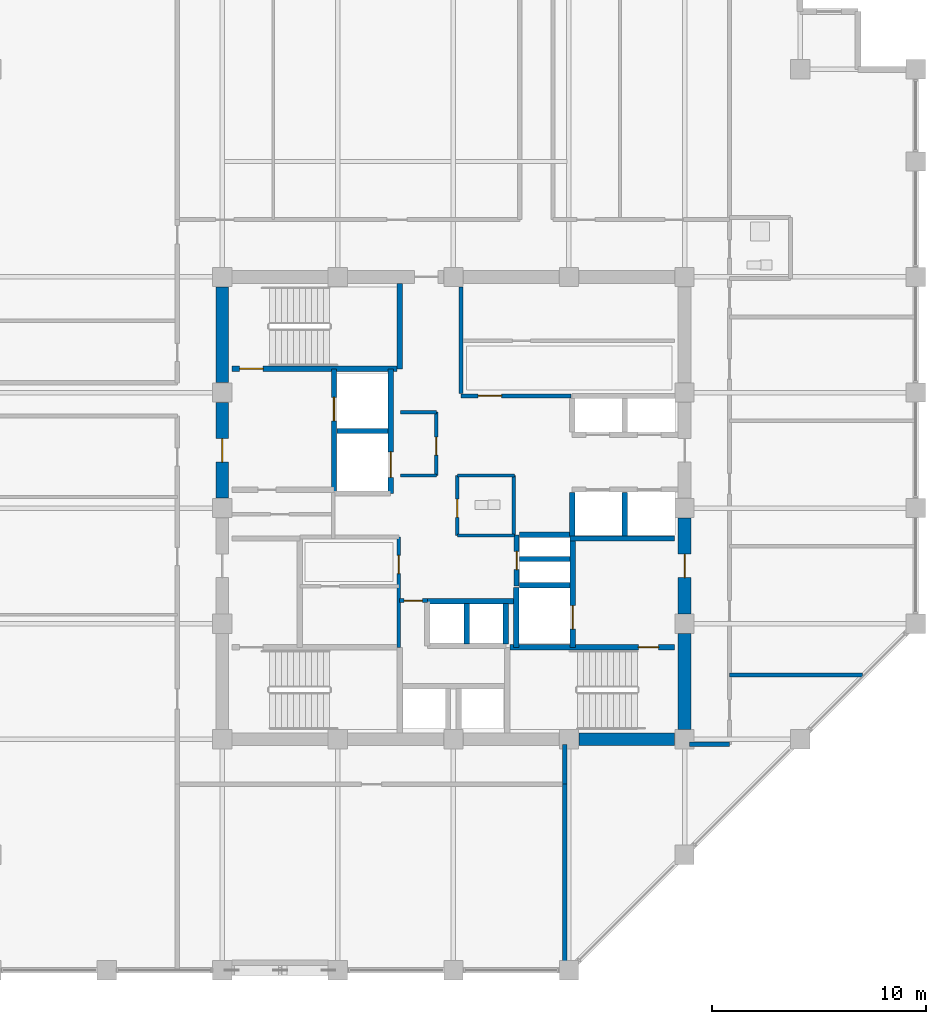
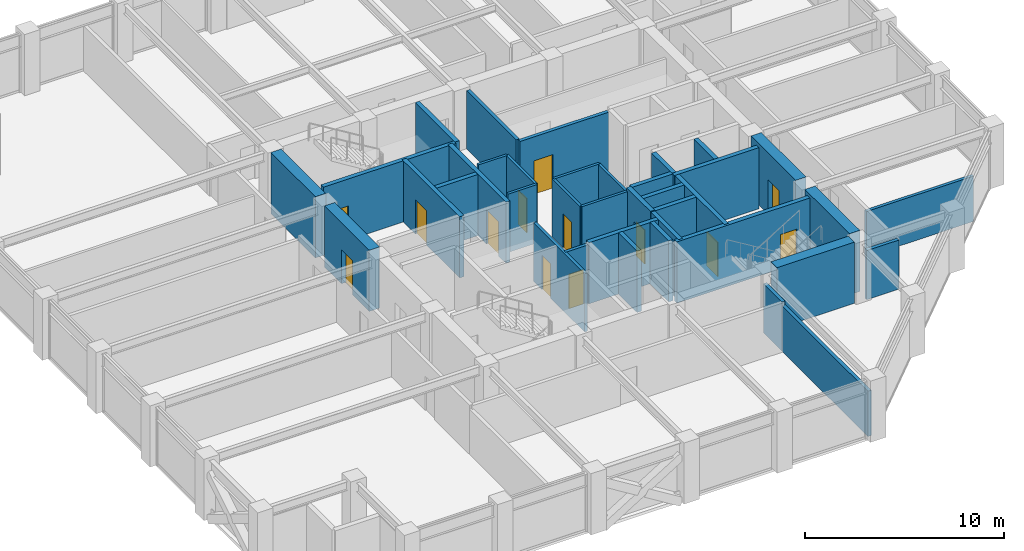
# One storey, part 28 of 32: 38 walls, 13 doors, 13 openings.
"""IFC4 building model written with IfcOpenShell, lengths in metres."""

from ifc_helpers import new_model, si_unit, direction, frame, frame_2d, origin, place, context, subcontext, project, spatial, rectangle, extrude, material, layer, layer_set, type_object, element, fill, save


model = new_model("IFC4")

# Units and contexts
model_context = context("Model", 3, precision=1e-05, world=origin(), true_north=direction((0.0, 1.0)))
body_context = subcontext(model_context, "Body", "Model", "MODEL_VIEW")
ifc_project = project(units=[si_unit("LENGTHUNIT", "METRE"), si_unit("AREAUNIT", "SQUARE_METRE"), si_unit("VOLUMEUNIT", "CUBIC_METRE"), si_unit("PLANEANGLEUNIT", "RADIAN"), si_unit("MASSUNIT", "GRAM", prefix="KILO")], contexts=[model_context])

# Site, building, storey
site_placement = place(None, origin())
site = spatial("IfcSite", under=ifc_project, at=site_placement, CompositionType="ELEMENT")
building_placement = place(site_placement, origin())
building = spatial("IfcBuilding", under=site, at=building_placement, Name="Surkhivell Harbour Commons", CompositionType="ELEMENT")
storey_placement = place(building_placement, frame((0.0, 0.0, 197.25)))
storey = spatial("IfcBuildingStorey", under=building, at=storey_placement, Name="L51", CompositionType="ELEMENT", Elevation=197.25)

# Wall
ifc_material_1 = material(Name="Concrete C60/75", Category="concrete")
ifc_layer_1 = layer(ifc_material_1, 0.60009765625)
ifc_layer_set_1 = layer_set([ifc_layer_1], Name="Concrete C60/75")
wall_type_1 = type_object("IfcWallType", Name="WAL-CORE-600", PredefinedType="SHEAR", material=ifc_layer_set_1)
wall_1_placement = place(storey_placement, frame((10.800048828125, -10.340087890625, 0.0), z_axis=(0.0, 0.0, 1.0), x_axis=(0.0, 1.0, 0.0)))
element("IfcWall", 1, at=wall_1_placement, inside=storey, type_object=wall_type_1, Name="L51 Core Shear Wall East 1", PredefinedType="SHEAR", context=body_context, shape_type="SweptSolid", body=[
    extrude(rectangle(XDim=4.47998046875, YDim=0.60009765625, at=frame_2d((2.239990234375, 0.0))), origin(), (0.0, 0.0, 1.0), 3.75),
])

# Wall, opening, door
wall_2_placement = place(storey_placement, frame((10.800048828125, -4.93994140625, 0.0), z_axis=(0.0, 0.0, 1.0), x_axis=(0.0, 1.0, 0.0)))
wall_2 = element("IfcWall", 2, at=wall_2_placement, inside=storey, type_object=wall_type_1, Name="L51 Core Shear Wall East 2", PredefinedType="SHEAR", context=body_context, shape_type="SweptSolid", body=[
    extrude(rectangle(XDim=4.47998046875, YDim=0.60009765625, at=frame_2d((2.239990234375, 0.0))), origin(), (0.0, 0.0, 1.0), 3.75),
])
opening_1_placement = place(wall_2_placement, frame((1.68994140625, 0.0, 0.0)))
opening_1 = element("IfcOpeningElement", 3, at=opening_1_placement, cuts=wall_2, Name="Opening ID-1", PredefinedType="OPENING", context=body_context, shape_type="SweptSolid", body=[
    extrude(rectangle(XDim=1.10009765625, YDim=2.10009765625, at=frame_2d((0.550048828125, 1.050048828125))), frame((0.0, 0.31005859375, 0.0), z_axis=(0.0, -1.0, 0.0), x_axis=(1.0, 0.0, 0.0)), (0.0, 0.0, 1.0), 0.6201171875),
])
ifc_material_2 = material(Name="Hardwood-veneered fire-rated door leaf", Category="wood")
door_type_1 = type_object("IfcDoorType", Name="DOR-FD120-1100", OperationType="NOTDEFINED", PredefinedType="DOOR", material=ifc_material_2)
door_1_placement = place(opening_1_placement, origin())
door_1 = element("IfcDoor", 4, at=door_1_placement, inside=storey, type_object=door_type_1, Name="L51 Firefighting Lobby 2 Corridor Door", OperationType="SINGLE_SWING_RIGHT", OverallHeight=2.10009765625, OverallWidth=1.10009765625, PredefinedType="DOOR", context=body_context, shape_type="SweptSolid", body=[
    extrude(rectangle(XDim=1.10009765625, YDim=2.10009765625, at=frame_2d((0.550048828125, 1.050048828125))), frame((0.0, 0.02490234375, 0.0), z_axis=(0.0, -1.0, 0.0), x_axis=(1.0, 0.0, 0.0)), (0.0, 0.0, 1.0), 0.050048828125),
])
fill(opening_1, door_1)

wall_3_placement = place(storey_placement, frame((-10.800048828125, 0.4599609375, 0.0), z_axis=(0.0, 0.0, 1.0), x_axis=(0.0, 1.0, 0.0)))
wall_3 = element("IfcWall", 5, at=wall_3_placement, inside=storey, type_object=wall_type_1, Name="L51 Core Shear Wall West 3", PredefinedType="SHEAR", context=body_context, shape_type="SweptSolid", body=[
    extrude(rectangle(XDim=4.47998046875, YDim=0.60009765625, at=frame_2d((2.239990234375, 0.0))), origin(), (0.0, 0.0, 1.0), 3.75),
])
opening_2_placement = place(wall_3_placement, frame((1.68994140625, 0.0, 0.0)))
opening_2 = element("IfcOpeningElement", 6, at=opening_2_placement, cuts=wall_3, Name="Opening ID-1", PredefinedType="OPENING", context=body_context, shape_type="SweptSolid", body=[
    extrude(rectangle(XDim=1.10009765625, YDim=2.10009765625, at=frame_2d((0.550048828125, 1.050048828125))), frame((0.0, 0.31005859375, 0.0), z_axis=(0.0, -1.0, 0.0), x_axis=(1.0, 0.0, 0.0)), (0.0, 0.0, 1.0), 0.6201171875),
])
door_2_placement = place(opening_2_placement, origin())
door_2 = element("IfcDoor", 7, at=door_2_placement, inside=storey, type_object=door_type_1, Name="L51 Firefighting Lobby 1 Corridor Door", OperationType="SINGLE_SWING_LEFT", OverallHeight=2.10009765625, OverallWidth=1.10009765625, PredefinedType="DOOR", context=body_context, shape_type="SweptSolid", body=[
    extrude(rectangle(XDim=1.10009765625, YDim=2.10009765625, at=frame_2d((0.550048828125, 1.050048828125))), frame((0.0, 0.02490234375, 0.0), z_axis=(0.0, -1.0, 0.0), x_axis=(1.0, 0.0, 0.0)), (0.0, 0.0, 1.0), 0.050048828125),
])
fill(opening_2, door_2)

# Walls
for number, where, z_axis, x_axis, name in (
    (8, (5.860107421875, -10.800048828125, 0.0), (0.0, 0.0, 1.0), (1.0, 0.0, 0.0), "L51 Core Shear Wall South 4"),
    (9, (-10.800048828125, 5.860107421875, 0.0), (0.0, 0.0, 1.0), (0.0, 1.0, 0.0), "L51 Core Shear Wall West 4"),
):
    element("IfcWall", number, at=place(storey_placement, frame(where, z_axis=z_axis, x_axis=x_axis)), inside=storey, type_object=wall_type_1, Name=name, PredefinedType="SHEAR", context=body_context, shape_type="SweptSolid", body=[
        extrude(rectangle(XDim=4.47998046875, YDim=0.60009765625, at=frame_2d((2.239990234375, 0.0))), origin(), (0.0, 0.0, 1.0), 3.75),
    ])
ifc_material_3 = material(Name="Twin-stud acoustic fireboard partition", Category="other")
ifc_layer_2 = layer(ifc_material_3, 0.14990234375)
ifc_layer_set_2 = layer_set([ifc_layer_2], Name="Twin-stud acoustic fireboard partition")
wall_type_2 = type_object("IfcWallType", Name="WAL-INT-150", PredefinedType="PARTITIONING", material=ifc_layer_set_2)
wall_4_placement = place(storey_placement, frame((2.820068359375, -1.25, 0.0), z_axis=(0.0, 0.0, 1.0), x_axis=(0.0, 1.0, 0.0)))
element("IfcWall", 10, at=wall_4_placement, inside=storey, type_object=wall_type_2, Name="L51 Core WC East Wall", PredefinedType="PARTITIONING", context=body_context, shape_type="SweptSolid", body=[
    extrude(rectangle(XDim=2.77001953125, YDim=0.14990234375, at=frame_2d((1.385009765625, 0.0))), origin(), (0.0, 0.0, 1.0), 3.570068359375),
])
for number, where, z_axis, x_axis, name in (
    (11, (0.179931640625, 1.52001953125, 0.0), (0.0, 0.0, 1.0), (1.0, 0.0, 0.0), "L51 Core WC North Wall"),
    (12, (0.179931640625, -1.280029296875, 0.0), (0.0, 0.0, 1.0), (1.0, 0.0, 0.0), "L51 Core WC South Wall"),
):
    element("IfcWall", number, at=place(storey_placement, frame(where, z_axis=z_axis, x_axis=x_axis)), inside=storey, type_object=wall_type_2, Name=name, PredefinedType="PARTITIONING", context=body_context, shape_type="SweptSolid", body=[
        extrude(rectangle(XDim=2.670166015625, YDim=0.14990234375, at=frame_2d((1.3349609375, 0.0))), origin(), (0.0, 0.0, 1.0), 3.570068359375),
    ])

# Wall, opening, door
wall_5_placement = place(storey_placement, frame((0.179931640625, -1.280029296875, 0.0), z_axis=(0.0, 0.0, 1.0), x_axis=(0.0, 1.0, 0.0)))
wall_5 = element("IfcWall", 13, at=wall_5_placement, inside=storey, type_object=wall_type_2, Name="L51 Core Accessible WC West Wall", PredefinedType="PARTITIONING", context=body_context, shape_type="SweptSolid", body=[
    extrude(rectangle(XDim=2.800048828125, YDim=0.14990234375, at=frame_2d((1.39990234375, 0.0))), origin(), (0.0, 0.0, 1.0), 3.570068359375),
])
opening_3_placement = place(wall_5_placement, frame((0.85009765625, 0.0, 0.0)))
opening_3 = element("IfcOpeningElement", 14, at=opening_3_placement, cuts=wall_5, Name="Opening ID-6", PredefinedType="OPENING", context=body_context, shape_type="SweptSolid", body=[
    extrude(rectangle(XDim=0.85009765625, YDim=2.10009765625, at=frame_2d((0.425048828125, 1.050048828125))), frame((0.0, 0.0849609375, 0.0), z_axis=(0.0, -1.0, 0.0), x_axis=(1.0, 0.0, 0.0)), (0.0, 0.0, 1.0), 0.169921875),
])
door_type_2 = type_object("IfcDoorType", Name="DOR-FD30-850", OperationType="NOTDEFINED", PredefinedType="DOOR", material=ifc_material_2)
door_3_placement = place(opening_3_placement, origin())
door_3 = element("IfcDoor", 15, at=door_3_placement, inside=storey, type_object=door_type_2, Name="L51 Floor Accessible WC Door", OperationType="SINGLE_SWING_RIGHT", OverallHeight=2.10009765625, OverallWidth=0.85009765625, PredefinedType="DOOR", context=body_context, shape_type="SweptSolid", body=[
    extrude(rectangle(XDim=0.85009765625, YDim=2.10009765625, at=frame_2d((0.425048828125, 1.050048828125))), frame((0.0, 0.02490234375, 0.0), z_axis=(0.0, -1.0, 0.0), x_axis=(1.0, 0.0, 0.0)), (0.0, 0.0, 1.0), 0.050048828125),
])
fill(opening_3, door_3)

wall_6_placement = place(storey_placement, frame((-0.800048828125, 1.52001953125, 0.0), z_axis=(0.0, 0.0, 1.0), x_axis=(0.0, 1.0, 0.0)))
wall_6 = element("IfcWall", 16, at=wall_6_placement, inside=storey, type_object=wall_type_2, Name="L51 Core Seminar East Wall", PredefinedType="PARTITIONING", context=body_context, shape_type="SweptSolid", body=[
    extrude(rectangle(XDim=2.9599609375, YDim=0.14990234375, at=frame_2d((1.47998046875, 0.0))), origin(), (0.0, 0.0, 1.0), 3.570068359375),
])
opening_4_placement = place(wall_6_placement, frame((0.949951171875, 0.0, 0.0)))
opening_4 = element("IfcOpeningElement", 17, at=opening_4_placement, cuts=wall_6, Name="Opening ID-6", PredefinedType="OPENING", context=body_context, shape_type="SweptSolid", body=[
    extrude(rectangle(XDim=0.85009765625, YDim=2.10009765625, at=frame_2d((0.425048828125, 1.050048828125))), frame((0.0, 0.0849609375, 0.0), z_axis=(0.0, -1.0, 0.0), x_axis=(1.0, 0.0, 0.0)), (0.0, 0.0, 1.0), 0.169921875),
])
door_4_placement = place(opening_4_placement, origin())
door_4 = element("IfcDoor", 18, at=door_4_placement, inside=storey, type_object=door_type_2, Name="L51 Central Seminar Door", OperationType="SINGLE_SWING_LEFT", OverallHeight=2.10009765625, OverallWidth=0.85009765625, PredefinedType="DOOR", context=body_context, shape_type="SweptSolid", body=[
    extrude(rectangle(XDim=0.85009765625, YDim=2.10009765625, at=frame_2d((0.425048828125, 1.050048828125))), frame((0.0, 0.02490234375, 0.0), z_axis=(0.0, -1.0, 0.0), x_axis=(1.0, 0.0, 0.0)), (0.0, 0.0, 1.0), 0.050048828125),
])
fill(opening_4, door_4)

# Walls
for number, where, z_axis, x_axis, name in (
    (19, (-2.47998046875, 4.47998046875, 0.0), (0.0, 0.0, 1.0), (1.0, 0.0, 0.0), "L51 Core Seminar North Wall"),
    (20, (-2.47998046875, 1.52001953125, 0.0), (0.0, 0.0, 1.0), (1.0, 0.0, 0.0), "L51 Core Seminar South Wall"),
):
    element("IfcWall", number, at=place(storey_placement, frame(where, z_axis=z_axis, x_axis=x_axis)), inside=storey, type_object=wall_type_2, Name=name, PredefinedType="PARTITIONING", context=body_context, shape_type="SweptSolid", body=[
        extrude(rectangle(XDim=1.679931640625, YDim=0.14990234375, at=frame_2d((0.83984375, 0.0))), origin(), (0.0, 0.0, 1.0), 3.570068359375),
    ])

# Wall, opening, door
ifc_material_4 = material(Name="High-density acoustic blockwork fire partition", Category="masonry")
ifc_layer_3 = layer(ifc_material_4, 0.175048828125)
ifc_layer_set_3 = layer_set([ifc_layer_3], Name="High-density acoustic blockwork fire partition")
wall_type_3 = type_object("IfcWallType", Name="WAL-INT-175", PredefinedType="PARTITIONING", material=ifc_layer_set_3)
wall_7_placement = place(storey_placement, frame((-2.550048828125, -6.510009765625, 0.0), z_axis=(0.0, 0.0, 1.0), x_axis=(0.0, 1.0, 0.0)))
wall_7 = element("IfcWall", 21, at=wall_7_placement, inside=storey, type_object=wall_type_3, Name="L51 Core Service Bay East Wall", PredefinedType="PARTITIONING", context=body_context, shape_type="SweptSolid", body=[
    extrude(rectangle(XDim=5.159912109375, YDim=0.175048828125, at=frame_2d((2.580078125, 0.0))), origin(), (0.0, 0.0, 1.0), 3.570068359375),
])
opening_5_placement = place(wall_7_placement, frame((3.449951171875, 0.0, 0.0)))
opening_5 = element("IfcOpeningElement", 22, at=opening_5_placement, cuts=wall_7, Name="Opening ID-6", PredefinedType="OPENING", context=body_context, shape_type="SweptSolid", body=[
    extrude(rectangle(XDim=0.85009765625, YDim=2.10009765625, at=frame_2d((0.425048828125, 1.050048828125))), frame((0.0, 0.097412109375, 0.0), z_axis=(0.0, -1.0, 0.0), x_axis=(1.0, 0.0, 0.0)), (0.0, 0.0, 1.0), 0.195068359375),
])
door_5_placement = place(opening_5_placement, origin())
door_5 = element("IfcDoor", 23, at=door_5_placement, inside=storey, type_object=door_type_2, Name="L51 Core Seminar Door", OperationType="SINGLE_SWING_LEFT", OverallHeight=2.10009765625, OverallWidth=0.85009765625, PredefinedType="DOOR", context=body_context, shape_type="SweptSolid", body=[
    extrude(rectangle(XDim=0.85009765625, YDim=2.10009765625, at=frame_2d((0.425048828125, 1.050048828125))), frame((0.0, 0.02490234375, 0.0), z_axis=(0.0, -1.0, 0.0), x_axis=(1.0, 0.0, 0.0)), (0.0, 0.0, 1.0), 0.050048828125),
])
fill(opening_5, door_5)

wall_8_placement = place(storey_placement, frame((-2.52001953125, -4.320068359375, 0.0), z_axis=(0.0, 0.0, 1.0), x_axis=(1.0, 0.0, 0.0)))
wall_8 = element("IfcWall", 24, at=wall_8_placement, inside=storey, type_object=wall_type_3, Name="L51 High-Rise Lobby North Portal Wall", PredefinedType="PARTITIONING", context=body_context, shape_type="SweptSolid", body=[
    extrude(rectangle(XDim=1.300048828125, YDim=0.175048828125, at=frame_2d((0.64990234375, 0.0))), origin(), (0.0, 0.0, 1.0), 3.570068359375),
])
opening_6_placement = place(wall_8_placement, frame((0.219970703125, 0.0, 0.0)))
opening_6 = element("IfcOpeningElement", 25, at=opening_6_placement, cuts=wall_8, Name="Opening ID-6", PredefinedType="OPENING", context=body_context, shape_type="SweptSolid", body=[
    extrude(rectangle(XDim=0.85009765625, YDim=2.10009765625, at=frame_2d((0.425048828125, 1.050048828125))), frame((0.0, 0.097412109375, 0.0), z_axis=(0.0, -1.0, 0.0), x_axis=(1.0, 0.0, 0.0)), (0.0, 0.0, 1.0), 0.195068359375),
])
door_6_placement = place(opening_6_placement, origin())
door_6 = element("IfcDoor", 26, at=door_6_placement, inside=storey, type_object=door_type_2, Name="L51 High-Rise Lift Lobby North Door", OperationType="SINGLE_SWING_LEFT", OverallHeight=2.10009765625, OverallWidth=0.85009765625, PredefinedType="DOOR", context=body_context, shape_type="SweptSolid", body=[
    extrude(rectangle(XDim=0.85009765625, YDim=2.10009765625, at=frame_2d((0.425048828125, 1.050048828125))), frame((0.0, 0.02490234375, 0.0), z_axis=(0.0, -1.0, 0.0), x_axis=(1.0, 0.0, 0.0)), (0.0, 0.0, 1.0), 0.050048828125),
])
fill(opening_6, door_6)

# Wall
wall_9_placement = place(storey_placement, frame((12.89990234375, -7.800048828125, 0.0), z_axis=(0.0, 0.0, 1.0), x_axis=(1.0, 0.0, 0.0)))
element("IfcWall", 27, at=wall_9_placement, inside=storey, type_object=wall_type_3, Name="L51 East Partition PBOT", PredefinedType="PARTITIONING", context=body_context, shape_type="SweptSolid", body=[
    extrude(rectangle(XDim=6.21533203125, YDim=0.175048828125, at=frame_2d((3.107666015625, 0.0))), origin(), (0.0, 0.0, 1.0), 2.780029296875),
])

# Wall, opening, door
ifc_material_5 = material(Name="Autoclaved aerated concrete blockwork and fire plaster", Category="masonry")
ifc_layer_4 = layer(ifc_material_5, 0.199951171875)
ifc_layer_set_4 = layer_set([ifc_layer_4], Name="Autoclaved aerated concrete blockwork and fire plaster")
wall_type_4 = type_object("IfcWallType", Name="WAL-INT-200", PredefinedType="PARTITIONING", material=ifc_layer_set_4)
wall_10_placement = place(storey_placement, frame((0.35009765625, 5.239990234375, 0.0), z_axis=(0.0, 0.0, 1.0), x_axis=(1.0, 0.0, 0.0)))
wall_10 = element("IfcWall", 28, at=wall_10_placement, inside=storey, type_object=wall_type_4, Name="L51 Reclaimed Core North Bay South Wall", PredefinedType="PARTITIONING", context=body_context, shape_type="SweptSolid", body=[
    extrude(rectangle(XDim=5.14990234375, YDim=0.199951171875, at=frame_2d((2.574951171875, 0.0))), origin(), (0.0, 0.0, 1.0), 3.570068359375),
])
opening_7_placement = place(wall_10_placement, frame((0.800048828125, 0.0, 0.0)))
opening_7 = element("IfcOpeningElement", 29, at=opening_7_placement, cuts=wall_10, Name="Opening ID-2", PredefinedType="OPENING", context=body_context, shape_type="SweptSolid", body=[
    extrude(rectangle(XDim=1.10009765625, YDim=2.10009765625, at=frame_2d((0.550048828125, 1.050048828125))), frame((0.0, 0.10986328125, 0.0), z_axis=(0.0, -1.0, 0.0), x_axis=(1.0, 0.0, 0.0)), (0.0, 0.0, 1.0), 0.219970703125),
])
door_type_3 = type_object("IfcDoorType", Name="DOR-FD60-1100", OperationType="NOTDEFINED", PredefinedType="DOOR", material=ifc_material_2)
door_7_placement = place(opening_7_placement, origin())
door_7 = element("IfcDoor", 30, at=door_7_placement, inside=storey, type_object=door_type_3, Name="L51 Study Alcove Door", OperationType="SINGLE_SWING_RIGHT", OverallHeight=2.10009765625, OverallWidth=1.10009765625, PredefinedType="DOOR", context=body_context, shape_type="SweptSolid", body=[
    extrude(rectangle(XDim=1.10009765625, YDim=2.10009765625, at=frame_2d((0.550048828125, 1.050048828125))), frame((0.0, 0.02490234375, 0.0), z_axis=(0.0, -1.0, 0.0), x_axis=(1.0, 0.0, 0.0)), (0.0, 0.0, 1.0), 0.050048828125),
])
fill(opening_7, door_7)

# Walls
wall_11_placement = place(storey_placement, frame((0.35009765625, 5.360107421875, 0.0), z_axis=(0.0, 0.0, 1.0), x_axis=(0.0, 1.0, 0.0)))
element("IfcWall", 31, at=wall_11_placement, inside=storey, type_object=wall_type_4, Name="L51 Reclaimed Core North Bay West Wall", PredefinedType="PARTITIONING", context=body_context, shape_type="SweptSolid", body=[
    extrude(rectangle(XDim=4.97998046875, YDim=0.199951171875, at=frame_2d((2.489990234375, 0.0))), origin(), (0.0, 0.0, 1.0), 3.570068359375),
])
wall_12_placement = place(storey_placement, frame((5.199951171875, -21.5400390625, 0.0), z_axis=(0.0, 0.0, 1.0), x_axis=(0.0, 1.0, 0.0)))
element("IfcWall", 32, at=wall_12_placement, inside=storey, type_object=wall_type_4, Name="L51 South-East Corner Wall", PredefinedType="PARTITIONING", context=body_context, shape_type="SweptSolid", body=[
    extrude(rectangle(XDim=8.64013671875, YDim=0.199951171875, at=frame_2d((4.320068359375, 0.0))), origin(), (0.0, 0.0, 1.0), 2.780029296875),
])
for number, where, z_axis, x_axis, name in (
    (33, (11.0400390625, -11.0400390625, 0.0), (0.0, 0.0, 1.0), (1.0, 0.0, 0.0), "L51 Corridor East South Closure Wall"),
    (34, (5.199951171875, -12.89990234375, 0.0), (0.0, 0.0, 1.0), (0.0, 1.0, 0.0), "L51 Corridor South End Wall"),
):
    element("IfcWall", number, at=place(storey_placement, frame(where, z_axis=z_axis, x_axis=x_axis)), inside=storey, type_object=wall_type_4, Name=name, PredefinedType="PARTITIONING", context=body_context, shape_type="SweptSolid", body=[
        extrude(rectangle(XDim=1.85986328125, YDim=0.199951171875, at=frame_2d((0.929931640625, 0.0))), origin(), (0.0, 0.0, 1.0), 3.006103515625),
    ])

# Wall, opening, door
ifc_material_6 = material(Name="Concrete C50/60", Category="concrete")
ifc_layer_5 = layer(ifc_material_6, 0.25)
ifc_layer_set_5 = layer_set([ifc_layer_5], Name="Concrete C50/60")
wall_type_5 = type_object("IfcWallType", Name="WAL-SHAFT-250", PredefinedType="SHEAR", material=ifc_layer_set_5)
wall_13_placement = place(storey_placement, frame((-5.580078125, 0.719970703125, 0.0), z_axis=(0.0, 0.0, 1.0), x_axis=(0.0, 1.0, 0.0)))
wall_13 = element("IfcWall", 35, at=wall_13_placement, inside=storey, type_object=wall_type_5, Name="L51 Firefighting Lobby 1 East Shaft Wall", PredefinedType="SHEAR", context=body_context, shape_type="SweptSolid", body=[
    extrude(rectangle(XDim=5.7900390625, YDim=0.25, at=frame_2d((2.89501953125, 0.0))), origin(), (0.0, 0.0, 1.0), 3.75),
])
opening_8_placement = place(wall_13_placement, frame((3.35009765625, 0.0, 0.0)))
opening_8 = element("IfcOpeningElement", 36, at=opening_8_placement, cuts=wall_13, Name="Opening LD-1", PredefinedType="OPENING", context=body_context, shape_type="SweptSolid", body=[
    extrude(rectangle(XDim=1.10009765625, YDim=2.10009765625, at=frame_2d((0.550048828125, 1.050048828125))), frame((0.0, 0.135009765625, 0.0), z_axis=(0.0, -1.0, 0.0), x_axis=(1.0, 0.0, 0.0)), (0.0, 0.0, 1.0), 0.27001953125),
])
ifc_material_7 = material(Name="Brushed stainless steel S355", Category="steel")
door_type_4 = type_object("IfcDoorType", Name="DOR-LD-1100", OperationType="SLIDING_TO_LEFT", PredefinedType="DOOR", material=ifc_material_7)
door_8_placement = place(opening_8_placement, origin())
door_8 = element("IfcDoor", 37, at=door_8_placement, inside=storey, type_object=door_type_4, Name="L51 Lift Landing Door LD-FFL1", OperationType="SLIDING_TO_LEFT", OverallHeight=2.10009765625, OverallWidth=1.10009765625, PredefinedType="DOOR", context=body_context, shape_type="SweptSolid", body=[
    extrude(rectangle(XDim=1.10009765625, YDim=2.10009765625, at=frame_2d((0.550048828125, 1.050048828125))), frame((0.0, 0.02490234375, 0.0), z_axis=(0.0, -1.0, 0.0), x_axis=(1.0, 0.0, 0.0)), (0.0, 0.0, 1.0), 0.050048828125),
])
fill(opening_8, door_8)

# Walls
wall_14_placement = place(storey_placement, frame((2.929931640625, -6.510009765625, 0.0), z_axis=(0.0, 0.0, 1.0), x_axis=(0.0, 1.0, 0.0)))
element("IfcWall", 38, at=wall_14_placement, inside=storey, type_object=wall_type_5, Name="L51 FFL2 West Shaft Wall", PredefinedType="SHEAR", context=body_context, shape_type="SweptSolid", body=[
    extrude(rectangle(XDim=2.7900390625, YDim=0.25, at=frame_2d((1.39501953125, 0.0))), origin(), (0.0, 0.0, 1.0), 3.75),
])
wall_15_placement = place(storey_placement, frame((5.43994140625, -1.419921875, 0.0), z_axis=(0.0, 0.0, 1.0), x_axis=(1.0, 0.0, 0.0)))
element("IfcWall", 39, at=wall_15_placement, inside=storey, type_object=wall_type_5, Name="L51 Firefighting Lobby 2 North Wall", PredefinedType="SHEAR", context=body_context, shape_type="SweptSolid", body=[
    extrude(rectangle(XDim=4.900146484375, YDim=0.25, at=frame_2d((2.4501953125, 0.0))), origin(), (0.0, 0.0, 1.0), 3.75),
])
wall_16_placement = place(storey_placement, frame((3.080078125, -3.60009765625, 0.0), z_axis=(0.0, 0.0, 1.0), x_axis=(1.0, 0.0, 0.0)))
element("IfcWall", 40, at=wall_16_placement, inside=storey, type_object=wall_type_5, Name="L51 FFL2 North Shaft Wall", PredefinedType="SHEAR", context=body_context, shape_type="SweptSolid", body=[
    extrude(rectangle(XDim=2.369873046875, YDim=0.25, at=frame_2d((1.18505859375, 0.0))), origin(), (0.0, 0.0, 1.0), 3.75),
])

# Wall, opening, door
wall_17_placement = place(storey_placement, frame((5.580078125, -6.510009765625, 0.0), z_axis=(0.0, 0.0, 1.0), x_axis=(0.0, 1.0, 0.0)))
wall_17 = element("IfcWall", 41, at=wall_17_placement, inside=storey, type_object=wall_type_5, Name="L51 Firefighting Lobby 2 West Shaft Wall", PredefinedType="SHEAR", context=body_context, shape_type="SweptSolid", body=[
    extrude(rectangle(XDim=5.090087890625, YDim=0.25, at=frame_2d((2.544921875, 0.0))), origin(), (0.0, 0.0, 1.0), 3.75),
])
opening_9_placement = place(wall_17_placement, frame((0.85009765625, 0.0, 0.0)))
opening_9 = element("IfcOpeningElement", 42, at=opening_9_placement, cuts=wall_17, Name="Opening LD-1", PredefinedType="OPENING", context=body_context, shape_type="SweptSolid", body=[
    extrude(rectangle(XDim=1.10009765625, YDim=2.10009765625, at=frame_2d((0.550048828125, 1.050048828125))), frame((0.0, 0.135009765625, 0.0), z_axis=(0.0, -1.0, 0.0), x_axis=(1.0, 0.0, 0.0)), (0.0, 0.0, 1.0), 0.27001953125),
])
door_9_placement = place(opening_9_placement, origin())
door_9 = element("IfcDoor", 43, at=door_9_placement, inside=storey, type_object=door_type_4, Name="L51 Lift Landing Door LD-FFL2", OperationType="SLIDING_TO_RIGHT", OverallHeight=2.10009765625, OverallWidth=1.10009765625, PredefinedType="DOOR", context=body_context, shape_type="SweptSolid", body=[
    extrude(rectangle(XDim=1.10009765625, YDim=2.10009765625, at=frame_2d((0.550048828125, 1.050048828125))), frame((0.0, 0.02490234375, 0.0), z_axis=(0.0, -1.0, 0.0), x_axis=(1.0, 0.0, 0.0)), (0.0, 0.0, 1.0), 0.050048828125),
])
fill(opening_9, door_9)

# Walls
for number, where, z_axis, x_axis, name in (
    (44, (0.6201171875, -6.340087890625, 0.0), (0.0, 0.0, 1.0), (0.0, 1.0, 0.0), "L51 High-Rise Side Wall N"),
    (45, (2.449951171875, -6.340087890625, 0.0), (0.0, 0.0, 1.0), (0.0, 1.0, 0.0), "L51 High-Rise Side Wall N"),
):
    element("IfcWall", number, at=place(storey_placement, frame(where, z_axis=z_axis, x_axis=x_axis)), inside=storey, type_object=wall_type_5, Name=name, PredefinedType="SHEAR", context=body_context, shape_type="SweptSolid", body=[
        extrude(rectangle(XDim=1.880126953125, YDim=0.25, at=frame_2d((0.93994140625, 0.0))), origin(), (0.0, 0.0, 1.0), 3.75),
    ])
wall_18_placement = place(storey_placement, frame((-1.219970703125, -4.360107421875, 0.0), z_axis=(0.0, 0.0, 1.0), x_axis=(1.0, 0.0, 0.0)))
element("IfcWall", 46, at=wall_18_placement, inside=storey, type_object=wall_type_5, Name="L51 High-Rise North Back Shaft Wall", PredefinedType="SHEAR", context=body_context, shape_type="SweptSolid", body=[
    extrude(rectangle(XDim=4.030029296875, YDim=0.25, at=frame_2d((2.01513671875, 0.0))), origin(), (0.0, 0.0, 1.0), 3.75),
])
for number, where, z_axis, x_axis, name in (
    (47, (5.550048828125, -1.300048828125, 0.0), (0.0, 0.0, 1.0), (0.0, 1.0, 0.0), "L51 Mid-Rise Shaft Side Wall S"),
    (48, (8.0, -1.300048828125, 0.0), (0.0, 0.0, 1.0), (0.0, 1.0, 0.0), "L51 Mid-Rise Shaft Side Wall S"),
):
    element("IfcWall", number, at=place(storey_placement, frame(where, z_axis=z_axis, x_axis=x_axis)), inside=storey, type_object=wall_type_5, Name=name, PredefinedType="SHEAR", context=body_context, shape_type="SweptSolid", body=[
        extrude(rectangle(XDim=2.0400390625, YDim=0.25, at=frame_2d((1.02001953125, 0.0))), origin(), (0.0, 0.0, 1.0), 3.75),
    ])
for number, where, z_axis, x_axis, name in (
    (49, (3.080078125, -2.3798828125, 0.0), (0.0, 0.0, 1.0), (1.0, 0.0, 0.0), "L51 Riser Divider Wall"),
    (50, (3.080078125, -1.25, 0.0), (0.0, 0.0, 1.0), (1.0, 0.0, 0.0), "L51 Riser North Wall"),
):
    element("IfcWall", number, at=place(storey_placement, frame(where, z_axis=z_axis, x_axis=x_axis)), inside=storey, type_object=wall_type_5, Name=name, PredefinedType="SHEAR", context=body_context, shape_type="SweptSolid", body=[
        extrude(rectangle(XDim=2.369873046875, YDim=0.25, at=frame_2d((1.18505859375, 0.0))), origin(), (0.0, 0.0, 1.0), 3.75),
    ])

# Wall, opening, door
wall_19_placement = place(storey_placement, frame((2.949951171875, -3.64990234375, 0.0), z_axis=(0.0, 0.0, 1.0), x_axis=(0.0, 1.0, 0.0)))
wall_19 = element("IfcWall", 51, at=wall_19_placement, inside=storey, type_object=wall_type_5, Name="L51 Riser Shaft West Wall", PredefinedType="SHEAR", context=body_context, shape_type="SweptSolid", body=[
    extrude(rectangle(XDim=2.39990234375, YDim=0.25, at=frame_2d((1.199951171875, 0.0))), origin(), (0.0, 0.0, 1.0), 3.75),
])
opening_10_placement = place(wall_19_placement, frame((0.77490234375, 0.0, 0.0)))
opening_10 = element("IfcOpeningElement", 52, at=opening_10_placement, cuts=wall_19, Name="Opening ID-6", PredefinedType="OPENING", context=body_context, shape_type="SweptSolid", body=[
    extrude(rectangle(XDim=0.85009765625, YDim=2.10009765625, at=frame_2d((0.425048828125, 1.050048828125))), frame((0.0, 0.135009765625, 0.0), z_axis=(0.0, -1.0, 0.0), x_axis=(1.0, 0.0, 0.0)), (0.0, 0.0, 1.0), 0.27001953125),
])
door_10_placement = place(opening_10_placement, origin())
door_10 = element("IfcDoor", 53, at=door_10_placement, inside=storey, type_object=door_type_2, Name="L51 Electrical Riser Access Door", OperationType="SINGLE_SWING_LEFT", OverallHeight=2.10009765625, OverallWidth=0.85009765625, PredefinedType="DOOR", context=body_context, shape_type="SweptSolid", body=[
    extrude(rectangle(XDim=0.85009765625, YDim=2.10009765625, at=frame_2d((0.425048828125, 1.050048828125))), frame((0.0, 0.02490234375, 0.0), z_axis=(0.0, -1.0, 0.0), x_axis=(1.0, 0.0, 0.0)), (0.0, 0.0, 1.0), 0.050048828125),
])
fill(opening_10, door_10)

# Wall
wall_20_placement = place(storey_placement, frame((-2.510009765625, 6.510009765625, 0.0), z_axis=(0.0, 0.0, 1.0), x_axis=(0.0, 1.0, 0.0)))
element("IfcWall", 54, at=wall_20_placement, inside=storey, type_object=wall_type_5, Name="L51 Stair ST1 East Shear Wall", PredefinedType="SHEAR", context=body_context, shape_type="SweptSolid", body=[
    extrude(rectangle(XDim=3.989990234375, YDim=0.25, at=frame_2d((1.9951171875, 0.0))), origin(), (0.0, 0.0, 1.0), 3.75),
])

# Wall, opening, door
wall_21_placement = place(storey_placement, frame((-10.340087890625, 6.510009765625, 0.0), z_axis=(0.0, 0.0, 1.0), x_axis=(1.0, 0.0, 0.0)))
wall_21 = element("IfcWall", 55, at=wall_21_placement, inside=storey, type_object=wall_type_5, Name="L51 Stair ST1 South Shear Wall", PredefinedType="SHEAR", context=body_context, shape_type="SweptSolid", body=[
    extrude(rectangle(XDim=7.7001953125, YDim=0.25, at=frame_2d((3.85009765625, 0.0))), origin(), (0.0, 0.0, 1.0), 3.75),
])
opening_11_placement = place(wall_21_placement, frame((0.35009765625, 0.0, 0.0)))
opening_11 = element("IfcOpeningElement", 56, at=opening_11_placement, cuts=wall_21, Name="Opening ID-2", PredefinedType="OPENING", context=body_context, shape_type="SweptSolid", body=[
    extrude(rectangle(XDim=1.10009765625, YDim=2.10009765625, at=frame_2d((0.550048828125, 1.050048828125))), frame((0.0, 0.135009765625, 0.0), z_axis=(0.0, -1.0, 0.0), x_axis=(1.0, 0.0, 0.0)), (0.0, 0.0, 1.0), 0.27001953125),
])
door_11_placement = place(opening_11_placement, origin())
door_11 = element("IfcDoor", 57, at=door_11_placement, inside=storey, type_object=door_type_3, Name="L51 Stair ST1 Exit Door", OperationType="SINGLE_SWING_LEFT", OverallHeight=2.10009765625, OverallWidth=1.10009765625, PredefinedType="DOOR", context=body_context, shape_type="SweptSolid", body=[
    extrude(rectangle(XDim=1.10009765625, YDim=2.10009765625, at=frame_2d((0.550048828125, 1.050048828125))), frame((0.0, 0.02490234375, 0.0), z_axis=(0.0, -1.0, 0.0), x_axis=(1.0, 0.0, 0.0)), (0.0, 0.0, 1.0), 0.050048828125),
])
fill(opening_11, door_11)

wall_22_placement = place(storey_placement, frame((2.639892578125, -6.510009765625, 0.0), z_axis=(0.0, 0.0, 1.0), x_axis=(1.0, 0.0, 0.0)))
wall_22 = element("IfcWall", 58, at=wall_22_placement, inside=storey, type_object=wall_type_5, Name="L51 Stair ST2 North Shear Wall", PredefinedType="SHEAR", context=body_context, shape_type="SweptSolid", body=[
    extrude(rectangle(XDim=7.7001953125, YDim=0.25, at=frame_2d((3.85009765625, 0.0))), origin(), (0.0, 0.0, 1.0), 3.75),
])
opening_12_placement = place(wall_22_placement, frame((6.0, 0.0, 0.0)))
opening_12 = element("IfcOpeningElement", 59, at=opening_12_placement, cuts=wall_22, Name="Opening ID-4", PredefinedType="OPENING", context=body_context, shape_type="SweptSolid", body=[
    extrude(rectangle(XDim=0.949951171875, YDim=2.10009765625, at=frame_2d((0.47509765625, 1.050048828125))), frame((0.0, 0.135009765625, 0.0), z_axis=(0.0, -1.0, 0.0), x_axis=(1.0, 0.0, 0.0)), (0.0, 0.0, 1.0), 0.27001953125),
])
door_type_5 = type_object("IfcDoorType", Name="DOR-FD60-950", OperationType="NOTDEFINED", PredefinedType="DOOR", material=ifc_material_2)
door_12_placement = place(opening_12_placement, origin())
door_12 = element("IfcDoor", 60, at=door_12_placement, inside=storey, type_object=door_type_5, Name="L51 Stair ST2 Exit Door", OperationType="SINGLE_SWING_RIGHT", OverallHeight=2.10009765625, OverallWidth=0.949951171875, PredefinedType="DOOR", context=body_context, shape_type="SweptSolid", body=[
    extrude(rectangle(XDim=0.949951171875, YDim=2.10009765625, at=frame_2d((0.47509765625, 1.050048828125))), frame((0.0, 0.02490234375, 0.0), z_axis=(0.0, -1.0, 0.0), x_axis=(1.0, 0.0, 0.0)), (0.0, 0.0, 1.0), 0.050048828125),
])
fill(opening_12, door_12)

wall_23_placement = place(storey_placement, frame((-2.929931640625, 0.679931640625, 0.0), z_axis=(0.0, 0.0, 1.0), x_axis=(0.0, 1.0, 0.0)))
wall_23 = element("IfcWall", 61, at=wall_23_placement, inside=storey, type_object=wall_type_5, Name="L51 Service and Fire Lift East Shaft Wall", PredefinedType="SHEAR", context=body_context, shape_type="SweptSolid", body=[
    extrude(rectangle(XDim=5.830078125, YDim=0.25, at=frame_2d((2.9150390625, 0.0))), origin(), (0.0, 0.0, 1.0), 3.75),
])
opening_13_placement = place(wall_23_placement, frame((0.75, 0.0, 0.0)))
opening_13 = element("IfcOpeningElement", 62, at=opening_13_placement, cuts=wall_23, Name="Opening LD-2", PredefinedType="OPENING", context=body_context, shape_type="SweptSolid", body=[
    extrude(rectangle(XDim=1.199951171875, YDim=2.10009765625, at=frame_2d((0.60009765625, 1.050048828125))), frame((0.0, 0.135009765625, 0.0), z_axis=(0.0, -1.0, 0.0), x_axis=(1.0, 0.0, 0.0)), (0.0, 0.0, 1.0), 0.27001953125),
])
door_type_6 = type_object("IfcDoorType", Name="DOR-LD-1200", OperationType="SLIDING_TO_LEFT", PredefinedType="DOOR", material=ifc_material_7)
door_13_placement = place(opening_13_placement, origin())
door_13 = element("IfcDoor", 63, at=door_13_placement, inside=storey, type_object=door_type_6, Name="L51 Lift Landing Door LD-SVL1", OperationType="SLIDING_TO_LEFT", OverallHeight=2.10009765625, OverallWidth=1.199951171875, PredefinedType="DOOR", context=body_context, shape_type="SweptSolid", body=[
    extrude(rectangle(XDim=1.199951171875, YDim=2.10009765625, at=frame_2d((0.60009765625, 1.050048828125))), frame((0.0, 0.02490234375, 0.0), z_axis=(0.0, -1.0, 0.0), x_axis=(1.0, 0.0, 0.0)), (0.0, 0.0, 1.0), 0.050048828125),
])
fill(opening_13, door_13)

# Wall
wall_24_placement = place(storey_placement, frame((-5.449951171875, 3.60009765625, 0.0), z_axis=(0.0, 0.0, 1.0), x_axis=(1.0, 0.0, 0.0)))
element("IfcWall", 64, at=wall_24_placement, inside=storey, type_object=wall_type_5, Name="L51 FFL1/SVL1 Shaft Divider", PredefinedType="SHEAR", context=body_context, shape_type="SweptSolid", body=[
    extrude(rectangle(XDim=2.389892578125, YDim=0.25, at=frame_2d((1.19482421875, 0.0))), origin(), (0.0, 0.0, 1.0), 3.75),
])

save(model, "model.ifc")
